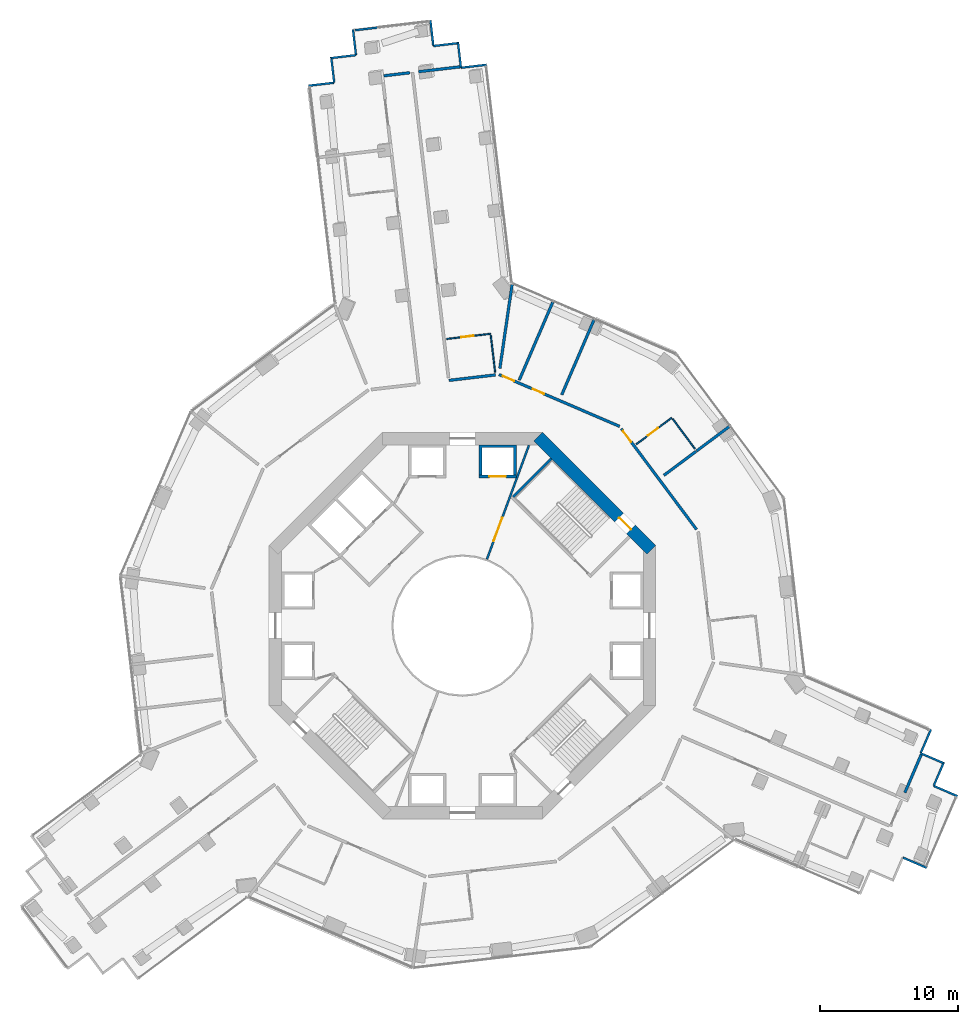
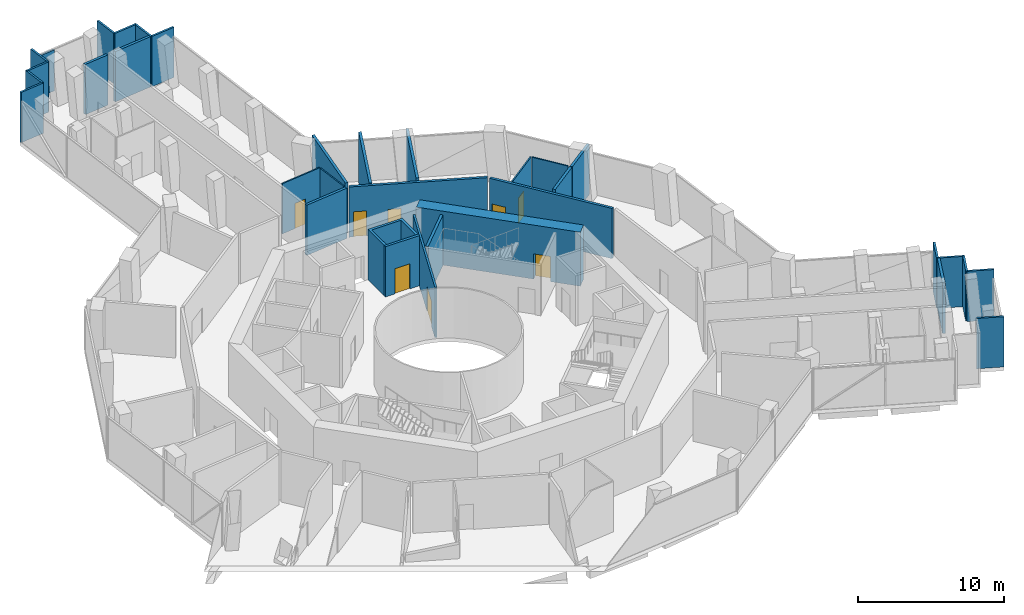
# One storey, part 14 of 17: 34 walls, 8 doors, 8 openings.
"""IFC4 building model written with IfcOpenShell, lengths in metres."""

from ifc_helpers import new_model, si_unit, direction, frame, frame_2d, origin, place, context, subcontext, project, spatial, polyline, rectangle, outline, extrude, material, layer, layer_set, type_object, element, fill, save


model = new_model("IFC4")

# Units and contexts
model_context = context("Model", 3, precision=1e-05, world=origin(), true_north=direction((0.0, 1.0)))
body_context = subcontext(model_context, "Body", "Model", "MODEL_VIEW")
ifc_project = project(units=[si_unit("LENGTHUNIT", "METRE"), si_unit("AREAUNIT", "SQUARE_METRE"), si_unit("VOLUMEUNIT", "CUBIC_METRE"), si_unit("PLANEANGLEUNIT", "RADIAN"), si_unit("MASSUNIT", "GRAM", prefix="KILO")], contexts=[model_context])

# Site, building, storey
site_placement = place(None, origin())
site = spatial("IfcSite", under=ifc_project, at=site_placement, CompositionType="ELEMENT")
building_placement = place(site_placement, origin())
building = spatial("IfcBuilding", under=site, at=building_placement, Name="Verdalira Terraces Hotel", CompositionType="ELEMENT")
storey_placement = place(building_placement, frame((0.0, 0.0, 60.0)))
storey = spatial("IfcBuildingStorey", under=building, at=storey_placement, Name="L13", CompositionType="ELEMENT", Elevation=60.0)

# Wall, opening, door
ifc_material_1 = material(Name="Moisture-resistant gypsum board partition")
ifc_layer_1 = layer(ifc_material_1, 0.10009765625)
ifc_layer_set_1 = layer_set([ifc_layer_1], Name="Bathroom partition 100 mm")
wall_type_1 = type_object("IfcWallType", Name="Bathroom partition 100 mm", PredefinedType="PARTITIONING", material=ifc_layer_set_1)
wall_1_placement = place(storey_placement, frame((2.040039, 21.142334, 0.0), z_axis=(0.0, 0.0, 1.0), x_axis=(-0.993127671, -0.117036018, 0.0)))
wall_1 = element("IfcWall", 1, at=wall_1_placement, inside=storey, type_object=wall_type_1, Name="Bathroom partition", PredefinedType="PARTITIONING", context=body_context, shape_type="SweptSolid", body=[
    extrude(rectangle(XDim=3.199951, YDim=0.100098, at=frame_2d((1.600098, 0.0))), origin(), (0.0, 0.0, 1.0), 4.189941),
])
opening_1_placement = place(wall_1_placement, frame((1.25, 0.0, 0.0)))
opening_1 = element("IfcOpeningElement", 2, at=opening_1_placement, cuts=wall_1, Name="Opening L13-102", PredefinedType="OPENING", context=body_context, shape_type="SweptSolid", body=[
    extrude(rectangle(XDim=0.899902, YDim=2.100098, at=frame_2d((0.449951, 1.050049))), frame((0.0, 0.060059, 0.0), z_axis=(0.0, -1.0, 0.0), x_axis=(1.0, 0.0, 0.0)), (0.0, 0.0, 1.0), 0.120117),
])
ifc_material_2 = material(Name="Timber door", Category="wood")
door_type_1 = type_object("IfcDoorType", Name="Bathroom door 900 x 2100", OperationType="NOTDEFINED", PredefinedType="DOOR", material=ifc_material_2)
door_1_placement = place(opening_1_placement, origin())
door_1 = element("IfcDoor", 3, at=door_1_placement, inside=storey, type_object=door_type_1, Name="Bathroom door 1301", OperationType="SINGLE_SWING_LEFT", OverallHeight=2.10009765625, OverallWidth=0.89990234375, PredefinedType="DOOR", context=body_context, shape_type="SweptSolid", body=[
    extrude(rectangle(XDim=0.899902, YDim=2.100098, at=frame_2d((0.449951, 1.050049))), frame((0.0, 0.024902, 0.0), z_axis=(0.0, -1.0, 0.0), x_axis=(1.0, 0.0, 0.0)), (0.0, 0.0, 1.0), 0.050049),
])
fill(opening_1, door_1)

# Wall
wall_2_placement = place(storey_placement, frame((2.051758, 21.042969, 0.0), z_axis=(0.0, 0.0, 1.0), x_axis=(0.117009133, -0.993130839, 0.0)))
element("IfcWall", 4, at=wall_2_placement, inside=storey, type_object=wall_type_1, Name="Bathroom partition", PredefinedType="PARTITIONING", context=body_context, shape_type="SweptSolid", body=[
    extrude(rectangle(XDim=2.699951, YDim=0.100098, at=frame_2d((1.350098, 0.0))), origin(), (0.0, 0.0, 1.0), 4.189941),
])

# Wall, opening, door
wall_3_placement = place(storey_placement, frame((15.166016, 15.05542, 0.0), z_axis=(0.0, 0.0, 1.0), x_axis=(-0.801553723, -0.597922761, 0.0)))
wall_3 = element("IfcWall", 5, at=wall_3_placement, inside=storey, type_object=wall_type_1, Name="Bathroom partition", PredefinedType="PARTITIONING", context=body_context, shape_type="SweptSolid", body=[
    extrude(rectangle(XDim=3.199951, YDim=0.100098, at=frame_2d((1.600098, 0.0))), origin(), (0.0, 0.0, 1.0), 4.189941),
])
opening_2_placement = place(wall_3_placement, frame((1.25, 0.0, 0.0)))
opening_2 = element("IfcOpeningElement", 6, at=opening_2_placement, cuts=wall_3, Name="Opening L13-123", PredefinedType="OPENING", context=body_context, shape_type="SweptSolid", body=[
    extrude(rectangle(XDim=0.899902, YDim=2.100098, at=frame_2d((0.449951, 1.050049))), frame((0.0, 0.060059, 0.0), z_axis=(0.0, -1.0, 0.0), x_axis=(1.0, 0.0, 0.0)), (0.0, 0.0, 1.0), 0.120117),
])
door_2_placement = place(opening_2_placement, origin())
door_2 = element("IfcDoor", 7, at=door_2_placement, inside=storey, type_object=door_type_1, Name="Bathroom door 1316", OperationType="SINGLE_SWING_LEFT", OverallHeight=2.10009765625, OverallWidth=0.89990234375, PredefinedType="DOOR", context=body_context, shape_type="SweptSolid", body=[
    extrude(rectangle(XDim=0.899902, YDim=2.100098, at=frame_2d((0.449951, 1.050049))), frame((0.0, 0.024902, 0.0), z_axis=(0.0, -1.0, 0.0), x_axis=(1.0, 0.0, 0.0)), (0.0, 0.0, 1.0), 0.050049),
])
fill(opening_2, door_2)

# Walls
wall_4_placement = place(storey_placement, frame((15.22583, 14.975098, 0.0), z_axis=(0.0, 0.0, 1.0), x_axis=(0.597914488, -0.801559895, 0.0)))
element("IfcWall", 8, at=wall_4_placement, inside=storey, type_object=wall_type_1, Name="Bathroom partition", PredefinedType="PARTITIONING", context=body_context, shape_type="SweptSolid", body=[
    extrude(rectangle(XDim=2.699707, YDim=0.100098, at=frame_2d((1.349854, 0.0))), origin(), (0.0, 0.0, 1.0), 4.189941),
])
ifc_material_3 = material(Name="Concrete C50", Category="concrete")
ifc_layer_2 = layer(ifc_material_3, 0.199951171875)
ifc_layer_set_2 = layer_set([ifc_layer_2], Name="Core RC wall 200 C50")
wall_type_2 = type_object("IfcWallType", Name="Core RC wall 200 C50", PredefinedType="SOLIDWALL", material=ifc_layer_set_2)
wall_5_placement = place(storey_placement, origin())
element("IfcWall", 9, at=wall_5_placement, inside=storey, type_object=wall_type_2, Name="L13 shaft wall N1", PredefinedType="SOLIDWALL", context=body_context, shape_type="SweptSolid", body=[
    extrude(outline(polyline([(3.899902, 13.100098), (3.899902, 10.899902), (3.699951, 10.899902), (3.699951, 12.899902), (1.399902, 12.899902), (1.399902, 10.899902), (1.199951, 10.899902), (1.199951, 13.100098), (3.899902, 13.100098)])), origin(), (0.0, 0.0, 1.0), 4.189941),
])

# Wall, opening, door
wall_6_placement = place(storey_placement, frame((1.199951, 10.800049, 0.0), z_axis=(0.0, 0.0, 1.0), x_axis=(1.0, 0.0, 0.0)))
wall_6 = element("IfcWall", 10, at=wall_6_placement, inside=storey, type_object=wall_type_2, Name="L13 shaft front wall N1", PredefinedType="SOLIDWALL", context=body_context, shape_type="SweptSolid", body=[
    extrude(rectangle(XDim=2.699951, YDim=0.199951, at=frame_2d((1.350098, 0.0))), origin(), (0.0, 0.0, 1.0), 4.189941),
])
opening_3_placement = place(wall_6_placement, frame((0.75, 0.0, 0.0)))
opening_3 = element("IfcOpeningElement", 11, at=opening_3_placement, cuts=wall_6, Name="Opening LD-L13-803", PredefinedType="OPENING", context=body_context, shape_type="SweptSolid", body=[
    extrude(rectangle(XDim=1.199951, YDim=2.100098, at=frame_2d((0.600098, 1.050049))), frame((0.0, 0.109863, 0.0), z_axis=(0.0, -1.0, 0.0), x_axis=(1.0, 0.0, 0.0)), (0.0, 0.0, 1.0), 0.219971),
])
ifc_material_4 = material(Name="Stainless steel", Category="steel")
door_type_2 = type_object("IfcDoorType", Name="Landing door 1200 x 2100", OperationType="NOTDEFINED", PredefinedType="DOOR", material=ifc_material_4)
door_3_placement = place(opening_3_placement, origin())
door_3 = element("IfcDoor", 12, at=door_3_placement, inside=storey, type_object=door_type_2, Name="Lift landing door LR3 L13", OperationType="DOUBLE_DOOR_SLIDING", OverallHeight=2.10009765625, OverallWidth=1.199951171875, PredefinedType="DOOR", context=body_context, shape_type="SweptSolid", body=[
    extrude(rectangle(XDim=1.199951, YDim=2.100098, at=frame_2d((0.600098, 1.050049))), frame((0.0, 0.024902, 0.0), z_axis=(0.0, -1.0, 0.0), x_axis=(1.0, 0.0, 0.0)), (0.0, 0.0, 1.0), 0.050049),
])
fill(opening_3, door_3)

# Wall
wall_7_placement = place(storey_placement, frame((3.677002, 9.33374, 0.0), z_axis=(0.0, 0.0, 1.0), x_axis=(0.707106781, 0.707106781, 0.0)))
element("IfcWall", 13, at=wall_7_placement, inside=storey, type_object=wall_type_2, Name="L13 stair ST1 end wall 2", PredefinedType="SOLIDWALL", context=body_context, shape_type="SweptSolid", body=[
    extrude(rectangle(XDim=3.900146, YDim=0.199951, at=frame_2d((1.950195, 0.0))), origin(), (0.0, 0.0, 1.0), 4.189941),
])

# Wall, opening, door
ifc_material_5 = material(Name="Gypsum board partition")
ifc_layer_3 = layer(ifc_material_5, 0.14990234375)
ifc_layer_set_3 = layer_set([ifc_layer_3], Name="Core partition 150 mm")
wall_type_3 = type_object("IfcWallType", Name="Core partition 150 mm", PredefinedType="PARTITIONING", material=ifc_layer_set_3)
wall_8_placement = place(storey_placement, frame((1.775635, 4.812988, 0.0), z_axis=(0.0, 0.0, 1.0), x_axis=(0.346112737, 0.93819293, 0.0)))
wall_8 = element("IfcWall", 14, at=wall_8_placement, inside=storey, type_object=wall_type_3, Name="Gallery fire partition L13", PredefinedType="PARTITIONING", context=body_context, shape_type="SweptSolid", body=[
    extrude(rectangle(XDim=8.803223, YDim=0.149902, at=frame_2d((4.401611, 0.0))), origin(), (0.0, 0.0, 1.0), 4.189941),
])
opening_4_placement = place(wall_8_placement, frame((1.399902, 0.0, 0.0)))
opening_4 = element("IfcOpeningElement", 15, at=opening_4_placement, cuts=wall_8, Name="Opening L13-824", PredefinedType="OPENING", context=body_context, shape_type="SweptSolid", body=[
    extrude(rectangle(XDim=1.800049, YDim=2.100098, at=frame_2d((0.899902, 1.050049))), frame((0.0, 0.084961, 0.0), z_axis=(0.0, -1.0, 0.0), x_axis=(1.0, 0.0, 0.0)), (0.0, 0.0, 1.0), 0.169922),
])
ifc_material_6 = material(Name="Steel fire door", Category="steel")
door_type_3 = type_object("IfcDoorType", Name="Gallery fire door pair 1800 x 2100", OperationType="NOTDEFINED", PredefinedType="DOOR", material=ifc_material_6)
door_4_placement = place(opening_4_placement, origin())
door_4 = element("IfcDoor", 16, at=door_4_placement, inside=storey, type_object=door_type_3, Name="Door L13 split1", OperationType="DOUBLE_DOOR_SINGLE_SWING", OverallHeight=2.10009765625, OverallWidth=1.800048828125, PredefinedType="DOOR", context=body_context, shape_type="SweptSolid", body=[
    extrude(rectangle(XDim=1.800049, YDim=2.100098, at=frame_2d((0.899902, 1.050049))), frame((0.0, 0.024902, 0.0), z_axis=(0.0, -1.0, 0.0), x_axis=(1.0, 0.0, 0.0)), (0.0, 0.0, 1.0), 0.050049),
])
fill(opening_4, door_4)

ifc_material_7 = material(Name="Concrete C70", Category="concrete")
ifc_layer_4 = layer(ifc_material_7, 0.89990234375)
ifc_layer_set_4 = layer_set([ifc_layer_4], Name="Core wall 900 C70")
wall_type_4 = type_object("IfcWallType", Name="Core wall 900 C70", PredefinedType="SHEAR", material=ifc_layer_set_4)
wall_9_placement = place(storey_placement, frame((13.681885, 5.480713, 0.0), z_axis=(0.0, 0.0, 1.0), x_axis=(-0.707106781, 0.707106781, 0.0)))
wall_9 = element("IfcWall", 17, at=wall_9_placement, inside=storey, type_object=wall_type_4, Name="Core wall CW-L13-2", PredefinedType="SHEAR", context=body_context, shape_type="SweptSolid", body=[
    extrude(rectangle(XDim=11.598145, YDim=0.899902, at=frame_2d((5.799072, 0.0))), origin(), (0.0, 0.0, 1.0), 4.5),
])
opening_5_placement = place(wall_9_placement, frame((2.099121, 0.0, 0.0)))
opening_5 = element("IfcOpeningElement", 18, at=opening_5_placement, cuts=wall_9, Name="Opening L13-816", PredefinedType="OPENING", context=body_context, shape_type="SweptSolid", body=[
    extrude(rectangle(XDim=1.199951, YDim=2.100098, at=frame_2d((0.600098, 1.050049))), frame((0.0, 0.459961, 0.0), z_axis=(0.0, -1.0, 0.0), x_axis=(1.0, 0.0, 0.0)), (0.0, 0.0, 1.0), 0.919922),
])
ifc_material_8 = material(Name="Steel fire door", Category="steel")
door_type_4 = type_object("IfcDoorType", Name="Stair door 1200 x 2100", OperationType="NOTDEFINED", PredefinedType="DOOR", material=ifc_material_8)
door_5_placement = place(opening_5_placement, origin())
door_5 = element("IfcDoor", 19, at=door_5_placement, inside=storey, type_object=door_type_4, Name="Stair exit door ST1 L13", OperationType="SINGLE_SWING_LEFT", OverallHeight=2.10009765625, OverallWidth=1.199951171875, PredefinedType="DOOR", context=body_context, shape_type="SweptSolid", body=[
    extrude(rectangle(XDim=1.199951, YDim=2.100098, at=frame_2d((0.600098, 1.050049))), frame((0.0, 0.024902, 0.0), z_axis=(0.0, -1.0, 0.0), x_axis=(1.0, 0.0, 0.0)), (0.0, 0.0, 1.0), 0.050049),
])
fill(opening_5, door_5)

# Walls
ifc_material_9 = material(Name="Fire-rated gypsum board wall")
ifc_layer_5 = layer(ifc_material_9, 0.199951171875)
ifc_layer_set_5 = layer_set([ifc_layer_5], Name="Demising wall 200 mm")
wall_type_5 = type_object("IfcWallType", Name="Demising wall 200 mm", PredefinedType="SOLIDWALL", material=ifc_layer_set_5)
wall_10_placement = place(storey_placement, frame((-0.188232, 40.480713, 0.0), z_axis=(0.0, 0.0, 1.0), x_axis=(-0.99312229, -0.117081667, 0.0)))
element("IfcWall", 20, at=wall_10_placement, inside=storey, type_object=wall_type_5, Name="Demising wall", PredefinedType="SOLIDWALL", context=body_context, shape_type="SweptSolid", body=[
    extrude(rectangle(XDim=3.004883, YDim=0.199951, at=frame_2d((1.502441, 0.0))), origin(), (0.0, 0.0, 1.0), 4.189941),
])
wall_11_placement = place(storey_placement, frame((14.593018, 10.885254, 0.0), z_axis=(0.0, 0.0, 1.0), x_axis=(0.801560567, 0.597913587, 0.0)))
element("IfcWall", 21, at=wall_11_placement, inside=storey, type_object=wall_type_5, Name="Demising wall", PredefinedType="SOLIDWALL", context=body_context, shape_type="SweptSolid", body=[
    extrude(rectangle(XDim=2.904785, YDim=0.199951, at=frame_2d((1.452393, 0.0))), origin(), (0.0, 0.0, 1.0), 4.189941),
])
wall_12_placement = place(storey_placement, frame((16.958252, 12.649414, 0.0), z_axis=(0.0, 0.0, 1.0), x_axis=(0.801545514, 0.597933767, 0.0)))
element("IfcWall", 22, at=wall_12_placement, inside=storey, type_object=wall_type_5, Name="Demising wall", PredefinedType="SOLIDWALL", context=body_context, shape_type="SweptSolid", body=[
    extrude(rectangle(XDim=2.952148, YDim=0.199951, at=frame_2d((1.476074, 0.0))), origin(), (0.0, 0.0, 1.0), 4.189941),
])
wall_13_placement = place(storey_placement, frame((33.237061, -9.344971, 0.0), z_axis=(0.0, 0.0, 1.0), x_axis=(-0.395223181, -0.918585128, 0.0)))
element("IfcWall", 23, at=wall_13_placement, inside=storey, type_object=wall_type_5, Name="Demising wall", PredefinedType="SOLIDWALL", context=body_context, shape_type="SweptSolid", body=[
    extrude(rectangle(XDim=3.004639, YDim=0.199951, at=frame_2d((1.502441, 0.0))), origin(), (0.0, 0.0, 1.0), 4.189941),
])
ifc_material_10 = material(Name="Fire-rated gypsum board wall")
ifc_layer_6 = layer(ifc_material_10, 0.199951171875)
ifc_layer_set_6 = layer_set([ifc_layer_6], Name="Guest corridor wall 200 mm")
wall_type_6 = type_object("IfcWallType", Name="Guest corridor wall 200 mm", PredefinedType="SOLIDWALL", material=ifc_layer_set_6)
wall_14_placement = place(storey_placement, frame((-3.811279, 40.053711, 0.0), z_axis=(0.0, 0.0, 1.0), x_axis=(-0.993123384, -0.117072387, 0.0)))
element("IfcWall", 24, at=wall_14_placement, inside=storey, type_object=wall_type_6, Name="Guest corridor wall", PredefinedType="SOLIDWALL", context=body_context, shape_type="SweptSolid", body=[
    extrude(rectangle(XDim=1.899902, YDim=0.199951, at=frame_2d((0.949951, 0.0))), origin(), (0.0, 0.0, 1.0), 4.189941),
])
wall_15_placement = place(storey_placement, frame((2.391113, 18.162842, 0.0), z_axis=(0.0, 0.0, 1.0), x_axis=(-0.993135402, -0.116970398, 0.0)))
element("IfcWall", 25, at=wall_15_placement, inside=storey, type_object=wall_type_6, Name="Guest corridor wall", PredefinedType="SOLIDWALL", context=body_context, shape_type="SweptSolid", body=[
    extrude(rectangle(XDim=3.400146, YDim=0.199951, at=frame_2d((1.700195, 0.0))), origin(), (0.0, 0.0, 1.0), 4.189941),
])

# Wall, openings, doors
wall_16_placement = place(storey_placement, frame((2.647705, 18.193115, 0.0), z_axis=(0.0, 0.0, 1.0), x_axis=(0.918582764, -0.395228675, 0.0)))
wall_16 = element("IfcWall", 26, at=wall_16_placement, inside=storey, type_object=wall_type_6, Name="Guest corridor wall", PredefinedType="SOLIDWALL", context=body_context, shape_type="SweptSolid", body=[
    extrude(rectangle(XDim=9.515869, YDim=0.199951, at=frame_2d((4.757812, 0.0))), origin(), (0.0, 0.0, 1.0), 4.189941),
])
opening_6_placement = place(wall_16_placement, frame((2.658203, 0.0, 0.0)))
opening_6 = element("IfcOpeningElement", 27, at=opening_6_placement, cuts=wall_16, Name="Opening L13-126", PredefinedType="OPENING", context=body_context, shape_type="SweptSolid", body=[
    extrude(rectangle(XDim=0.899902, YDim=2.100098, at=frame_2d((0.449951, 1.050049))), frame((0.0, 0.109863, 0.0), z_axis=(0.0, -1.0, 0.0), x_axis=(1.0, 0.0, 0.0)), (0.0, 0.0, 1.0), 0.219971),
])
opening_7_placement = place(wall_16_placement, frame((0.300049, 0.0, 0.0)))
opening_7 = element("IfcOpeningElement", 28, at=opening_7_placement, cuts=wall_16, Name="Opening L13-127", PredefinedType="OPENING", context=body_context, shape_type="SweptSolid", body=[
    extrude(rectangle(XDim=0.899902, YDim=2.100098, at=frame_2d((0.449951, 1.050049))), frame((0.0, 0.109863, 0.0), z_axis=(0.0, -1.0, 0.0), x_axis=(1.0, 0.0, 0.0)), (0.0, 0.0, 1.0), 0.219971),
])
ifc_material_11 = material(Name="Timber fire door", Category="wood")
door_type_5 = type_object("IfcDoorType", Name="Toilet door 900 x 2100", OperationType="NOTDEFINED", PredefinedType="DOOR", material=ifc_material_11)
door_6_placement = place(opening_6_placement, origin())
door_6 = element("IfcDoor", 29, at=door_6_placement, inside=storey, type_object=door_type_5, Name="Toilet door 1319", OperationType="SINGLE_SWING_LEFT", OverallHeight=2.10009765625, OverallWidth=0.89990234375, PredefinedType="DOOR", context=body_context, shape_type="SweptSolid", body=[
    extrude(rectangle(XDim=0.899902, YDim=2.100098, at=frame_2d((0.449951, 1.050049))), frame((0.0, 0.024902, 0.0), z_axis=(0.0, -1.0, 0.0), x_axis=(1.0, 0.0, 0.0)), (0.0, 0.0, 1.0), 0.050049),
])
fill(opening_6, door_6)
door_7_placement = place(opening_7_placement, origin())
door_7 = element("IfcDoor", 30, at=door_7_placement, inside=storey, type_object=door_type_5, Name="Toilet door 1320", OperationType="SINGLE_SWING_LEFT", OverallHeight=2.10009765625, OverallWidth=0.89990234375, PredefinedType="DOOR", context=body_context, shape_type="SweptSolid", body=[
    extrude(rectangle(XDim=0.899902, YDim=2.100098, at=frame_2d((0.449951, 1.050049))), frame((0.0, 0.024902, 0.0), z_axis=(0.0, -1.0, 0.0), x_axis=(1.0, 0.0, 0.0)), (0.0, 0.0, 1.0), 0.050049),
])
fill(opening_7, door_7)

# Wall, opening, door
wall_17_placement = place(storey_placement, frame((11.509521, 14.27124, 0.0), z_axis=(0.0, 0.0, 1.0), x_axis=(0.597893887, -0.801575262, 0.0)))
wall_17 = element("IfcWall", 31, at=wall_17_placement, inside=storey, type_object=wall_type_6, Name="Guest corridor wall", PredefinedType="SOLIDWALL", context=body_context, shape_type="SweptSolid", body=[
    extrude(rectangle(XDim=9.115723, YDim=0.199951, at=frame_2d((4.557861, 0.0))), origin(), (0.0, 0.0, 1.0), 4.189941),
])
opening_8_placement = place(wall_17_placement, frame((0.199951, 0.0, 0.0)))
opening_8 = element("IfcOpeningElement", 32, at=opening_8_placement, cuts=wall_17, Name="Opening L13-122", PredefinedType="OPENING", context=body_context, shape_type="SweptSolid", body=[
    extrude(rectangle(XDim=1.0, YDim=2.100098, at=frame_2d((0.5, 1.050049))), frame((0.0, 0.109863, 0.0), z_axis=(0.0, -1.0, 0.0), x_axis=(1.0, 0.0, 0.0)), (0.0, 0.0, 1.0), 0.219971),
])
ifc_material_12 = material(Name="Timber fire door", Category="wood")
door_type_6 = type_object("IfcDoorType", Name="Guest entry door 1000 x 2100", OperationType="NOTDEFINED", PredefinedType="DOOR", material=ifc_material_12)
door_8_placement = place(opening_8_placement, origin())
door_8 = element("IfcDoor", 33, at=door_8_placement, inside=storey, type_object=door_type_6, Name="Guest entry door 1316", OperationType="SINGLE_SWING_LEFT", OverallHeight=2.10009765625, OverallWidth=1.0, PredefinedType="DOOR", context=body_context, shape_type="SweptSolid", body=[
    extrude(rectangle(XDim=1.0, YDim=2.100098, at=frame_2d((0.5, 1.050049))), frame((0.0, 0.024902, 0.0), z_axis=(0.0, -1.0, 0.0), x_axis=(1.0, 0.0, 0.0)), (0.0, 0.0, 1.0), 0.050049),
])
fill(opening_8, door_8)

# Walls
ifc_material_13 = material(Name="Fire-rated gypsum board wall")
ifc_layer_7 = layer(ifc_material_13, 0.199951171875)
ifc_layer_set_7 = layer_set([ifc_layer_7], Name="Service room wall 200 mm")
wall_type_7 = type_object("IfcWallType", Name="Service room wall 200 mm", PredefinedType="SOLIDWALL", material=ifc_layer_set_7)
wall_18_placement = place(storey_placement, frame((2.711914, 18.635742, 0.0), z_axis=(0.0, 0.0, 1.0), x_axis=(0.144046178, 0.989570967, 0.0)))
element("IfcWall", 34, at=wall_18_placement, inside=storey, type_object=wall_type_7, Name="Service room wall", PredefinedType="SOLIDWALL", context=body_context, shape_type="SweptSolid", body=[
    extrude(rectangle(XDim=6.13208, YDim=0.199951, at=frame_2d((3.065918, 0.0))), origin(), (0.0, 0.0, 1.0), 4.189941),
])
wall_19_placement = place(storey_placement, frame((4.112305, 17.780762, 0.0), z_axis=(0.0, 0.0, 1.0), x_axis=(0.39520297, 0.918593824, 0.0)))
element("IfcWall", 35, at=wall_19_placement, inside=storey, type_object=wall_type_7, Name="Service room wall", PredefinedType="SOLIDWALL", context=body_context, shape_type="SweptSolid", body=[
    extrude(rectangle(XDim=6.149902, YDim=0.199951, at=frame_2d((3.074951, 0.0))), origin(), (0.0, 0.0, 1.0), 4.189941),
])
wall_20_placement = place(storey_placement, frame((9.52832, 22.145508, 0.0), z_axis=(0.0, 0.0, 1.0), x_axis=(-0.395241716, -0.918577153, 0.0)))
element("IfcWall", 36, at=wall_20_placement, inside=storey, type_object=wall_type_7, Name="Service room wall", PredefinedType="SOLIDWALL", context=body_context, shape_type="SweptSolid", body=[
    extrude(rectangle(XDim=5.902832, YDim=0.199951, at=frame_2d((2.951416, 0.0))), origin(), (0.0, 0.0, 1.0), 4.189941),
])
ifc_material_14 = material(Name="Terracotta cladding", Category="masonry")
ifc_layer_8 = layer(ifc_material_14, 0.14990234375)
ifc_layer_set_8 = layer_set([ifc_layer_8], Name="Terracotta clad wall 150")
wall_type_8 = type_object("IfcWallType", Name="Terracotta clad wall 150", PredefinedType="SOLIDWALL", material=ifc_layer_set_8)
wall_21_placement = place(storey_placement, frame((1.75708, 40.634277, 0.0), z_axis=(0.0, 0.0, 1.0), x_axis=(-0.993124804, -0.117060338, 0.0)))
element("IfcWall", 37, at=wall_21_placement, inside=storey, type_object=wall_type_8, Name="Terracotta cladding wall", PredefinedType="SOLIDWALL", context=body_context, shape_type="SweptSolid", body=[
    extrude(rectangle(XDim=1.875, YDim=0.149902, at=frame_2d((0.9375, 0.0))), origin(), (0.0, 0.0, 1.0), 4.189941),
])
wall_22_placement = place(storey_placement, frame((-0.10498, 40.414795, 0.0), z_axis=(0.0, 0.0, 1.0), x_axis=(-0.117053726, 0.993125584, 0.0)))
element("IfcWall", 38, at=wall_22_placement, inside=storey, type_object=wall_type_8, Name="Terracotta cladding wall", PredefinedType="SOLIDWALL", context=body_context, shape_type="SweptSolid", body=[
    extrude(rectangle(XDim=1.800049, YDim=0.149902, at=frame_2d((0.899902, 0.0))), origin(), (0.0, 0.0, 1.0), 4.189941),
])
for number, where, z_axis, x_axis, name in (
    (39, (-0.241211, 42.211182, 0.0), (0.0, 0.0, 1.0), (-0.993139934, -0.116931908, 0.0), "Terracotta cladding wall"),
    (40, (-2.103271, 41.991943, 0.0), (0.0, 0.0, 1.0), (-0.117060338, 0.993124804, 0.0), "Terracotta cladding wall"),
    (41, (-7.933838, 43.192871, 0.0), (0.0, 0.0, 1.0), (0.117060338, -0.993124804, 0.0), "Terracotta cladding wall"),
):
    element("IfcWall", number, at=place(storey_placement, frame(where, z_axis=z_axis, x_axis=x_axis)), inside=storey, type_object=wall_type_8, Name=name, PredefinedType="SOLIDWALL", context=body_context, shape_type="SweptSolid", body=[
        extrude(rectangle(XDim=1.875, YDim=0.149902, at=frame_2d((0.9375, 0.0))), origin(), (0.0, 0.0, 1.0), 4.189941),
    ])
wall_23_placement = place(storey_placement, frame((-7.714355, 41.330811, 0.0), z_axis=(0.0, 0.0, 1.0), x_axis=(-0.993125584, -0.117053726, 0.0)))
element("IfcWall", 42, at=wall_23_placement, inside=storey, type_object=wall_type_8, Name="Terracotta cladding wall", PredefinedType="SOLIDWALL", context=body_context, shape_type="SweptSolid", body=[
    extrude(rectangle(XDim=1.800049, YDim=0.149902, at=frame_2d((0.899902, 0.0))), origin(), (0.0, 0.0, 1.0), 4.189941),
])
for number, where, z_axis, x_axis, name in (
    (43, (-9.510742, 41.19458, 0.0), (0.0, 0.0, 1.0), (0.116931908, -0.993139934, 0.0), "Terracotta cladding wall"),
    (44, (-9.291504, 39.33252, 0.0), (0.0, 0.0, 1.0), (-0.993124804, -0.117060338, 0.0), "Terracotta cladding wall"),
):
    element("IfcWall", number, at=place(storey_placement, frame(where, z_axis=z_axis, x_axis=x_axis)), inside=storey, type_object=wall_type_8, Name=name, PredefinedType="SOLIDWALL", context=body_context, shape_type="SweptSolid", body=[
        extrude(rectangle(XDim=1.875, YDim=0.149902, at=frame_2d((0.9375, 0.0))), origin(), (0.0, 0.0, 1.0), 4.189941),
    ])
wall_24_placement = place(storey_placement, frame((31.90625, -16.803223, 0.0), z_axis=(0.0, 0.0, 1.0), x_axis=(0.918585048, -0.395223366, 0.0)))
element("IfcWall", 45, at=wall_24_placement, inside=storey, type_object=wall_type_8, Name="Terracotta cladding wall", PredefinedType="SOLIDWALL", context=body_context, shape_type="SweptSolid", body=[
    extrude(rectangle(XDim=1.874756, YDim=0.149902, at=frame_2d((0.9375, 0.0))), origin(), (0.0, 0.0, 1.0), 4.189941),
])
wall_25_placement = place(storey_placement, frame((35.861572, -12.354248, 0.0), z_axis=(0.0, 0.0, 1.0), x_axis=(-0.918558115, 0.395285959, 0.0)))
element("IfcWall", 46, at=wall_25_placement, inside=storey, type_object=wall_type_8, Name="Terracotta cladding wall", PredefinedType="SOLIDWALL", context=body_context, shape_type="SweptSolid", body=[
    extrude(rectangle(XDim=1.875244, YDim=0.149902, at=frame_2d((0.9375, 0.0))), origin(), (0.0, 0.0, 1.0), 4.189941),
])
wall_26_placement = place(storey_placement, frame((34.13916, -11.613037, 0.0), z_axis=(0.0, 0.0, 1.0), x_axis=(0.395261268, 0.91856874, 0.0)))
element("IfcWall", 47, at=wall_26_placement, inside=storey, type_object=wall_type_8, Name="Terracotta cladding wall", PredefinedType="SOLIDWALL", context=body_context, shape_type="SweptSolid", body=[
    extrude(rectangle(XDim=1.799805, YDim=0.149902, at=frame_2d((0.899902, 0.0))), origin(), (0.0, 0.0, 1.0), 4.189941),
])
wall_27_placement = place(storey_placement, frame((34.919434, -9.989258, 0.0), z_axis=(0.0, 0.0, 1.0), x_axis=(-0.918605386, 0.395176094, 0.0)))
element("IfcWall", 48, at=wall_27_placement, inside=storey, type_object=wall_type_8, Name="Terracotta cladding wall", PredefinedType="SOLIDWALL", context=body_context, shape_type="SweptSolid", body=[
    extrude(rectangle(XDim=1.875, YDim=0.149902, at=frame_2d((0.9375, 0.0))), origin(), (0.0, 0.0, 1.0), 4.189941),
])
wall_28_placement = place(storey_placement, frame((33.197021, -9.248291, 0.0), z_axis=(0.0, 0.0, 1.0), x_axis=(0.395285959, 0.918558115, 0.0)))
element("IfcWall", 49, at=wall_28_placement, inside=storey, type_object=wall_type_8, Name="Terracotta cladding wall", PredefinedType="SOLIDWALL", context=body_context, shape_type="SweptSolid", body=[
    extrude(rectangle(XDim=1.875244, YDim=0.149902, at=frame_2d((0.9375, 0.0))), origin(), (0.0, 0.0, 1.0), 4.189941),
])
ifc_material_15 = material(Name="Terracotta cladding", Category="masonry")
ifc_layer_9 = layer(ifc_material_15, 0.14990234375)
ifc_layer_set_9 = layer_set([ifc_layer_9], Name="Terracotta column pier 150")
wall_type_9 = type_object("IfcWallType", Name="Terracotta column pier 150", PredefinedType="SOLIDWALL", material=ifc_layer_set_9)
wall_29_placement = place(storey_placement, frame((-6.102539, 43.333008, 0.0), z_axis=(0.0, 0.0, 1.0), x_axis=(-0.993136833, -0.116958246, 0.0)))
element("IfcWall", 50, at=wall_29_placement, inside=storey, type_object=wall_type_9, Name="Terracotta column pier", PredefinedType="SOLIDWALL", context=body_context, shape_type="SweptSolid", body=[
    extrude(rectangle(XDim=1.695068, YDim=0.149902, at=frame_2d((0.847656, 0.0))), origin(), (0.0, 0.0, 1.0), 3.419922),
])

save(model, "model.ifc")
